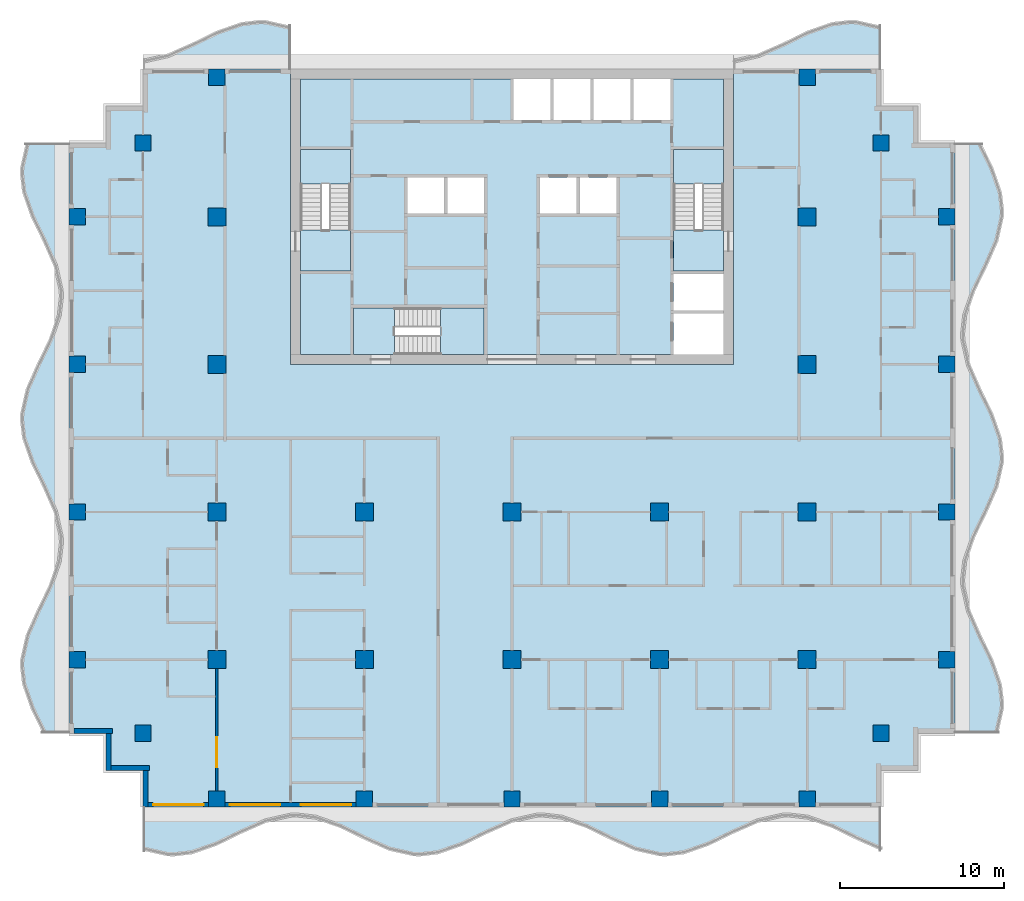
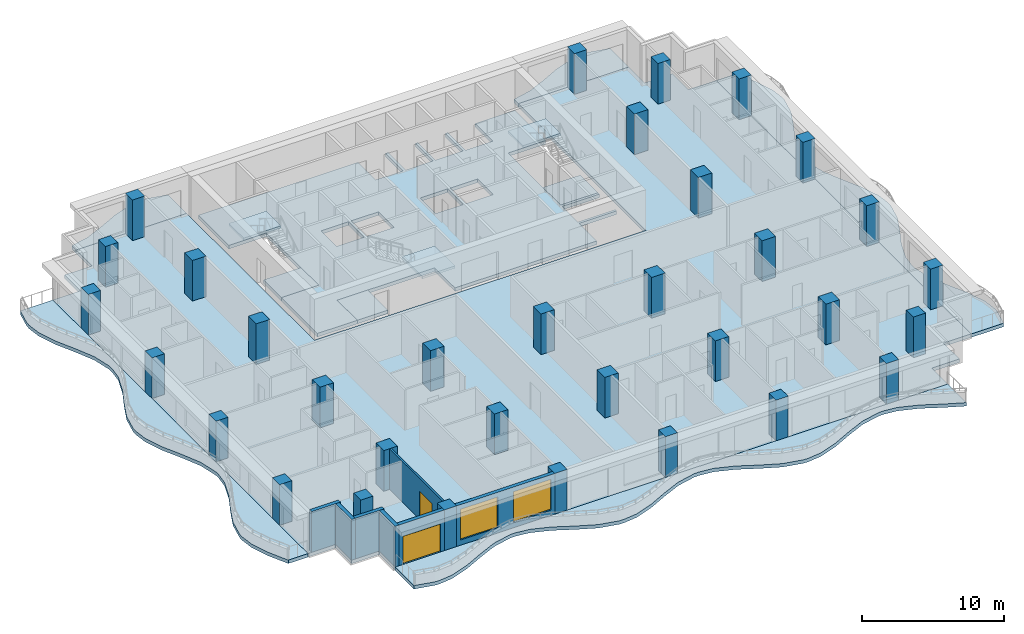
# One storey, part 1 of 12: 33 columns, 13 slabs, 7 walls, 2 doors, 2 windows, 4 openings, 3 elements without a shape of their own.
"""IFC4 building model written with IfcOpenShell, lengths in metres."""

from ifc_helpers import new_model, si_unit, direction, frame, frame_2d, origin, origin_2d, place, context, subcontext, project, spatial, polyline, rectangle, outline, extrude, material, layer, layer_set, material_profile, profile_set, type_object, element, fill, aggregate, save


model = new_model("IFC4")

# Units and contexts
model_context = context("Model", 3, precision=1e-05, world=origin(), true_north=direction((0.0, 1.0)))
body_context = subcontext(model_context, "Body", "Model", "MODEL_VIEW")
ifc_project = project(units=[si_unit("LENGTHUNIT", "METRE"), si_unit("AREAUNIT", "SQUARE_METRE"), si_unit("VOLUMEUNIT", "CUBIC_METRE"), si_unit("PLANEANGLEUNIT", "RADIAN"), si_unit("MASSUNIT", "GRAM", prefix="KILO")], contexts=[model_context])

# Site, building, storey
site_placement = place(None, origin())
site = spatial("IfcSite", under=ifc_project, at=site_placement, CompositionType="ELEMENT")
building_placement = place(site_placement, origin())
building = spatial("IfcBuilding", under=site, at=building_placement, Name="Orbiselva Terraces", CompositionType="ELEMENT")
storey_placement = place(building_placement, frame((0.0, 0.0, 214.8)))
storey = spatial("IfcBuildingStorey", under=building, at=storey_placement, Name="L54", CompositionType="ELEMENT", Elevation=214.8)

# Columns
ifc_material_1 = material(Name="Concrete C60/75", Category="concrete")
ifc_material_profile_1 = material_profile(ifc_material_1, rectangle(XDim=1.1, YDim=1.1, at=origin_2d()), Name="RC 1100x1100")
ifc_profile_set_1 = profile_set([ifc_material_profile_1], Name="Concrete C60/75")
column_type_1 = type_object("IfcColumnType", Name="COLUMN RC 1100x1100", PredefinedType="COLUMN", material=ifc_profile_set_1)
for number, where, z_axis, x_axis, name in (
    (1, (-18.0, -13.5, 0.0), (0.0, 0.0, 1.0), (1.0, 0.0, 0.0), "Column L54-01"),
    (2, (-18.0, -4.5, 0.0), (0.0, 0.0, 1.0), (1.0, 0.0, 0.0), "Column L54-03"),
    (3, (-18.0, 13.5, 0.0), (0.0, 0.0, 1.0), (1.0, 0.0, 0.0), "Column L54-04"),
    (4, (-18.0, 4.5, 0.0), (0.0, 0.0, 1.0), (1.0, 0.0, 0.0), "Column L54-06"),
    (5, (-9.0, -13.5, 0.0), (0.0, 0.0, 1.0), (1.0, 0.0, 0.0), "Column L54-13"),
    (6, (-9.0, -4.5, 0.0), (0.0, 0.0, 1.0), (1.0, 0.0, 0.0), "Column L54-15"),
    (7, (0.0, -13.5, 0.0), (0.0, 0.0, 1.0), (1.0, 0.0, 0.0), "Column L54-16"),
    (8, (0.0, -4.5, 0.0), (0.0, 0.0, 1.0), (1.0, 0.0, 0.0), "Column L54-18"),
    (9, (18.0, -13.5, 0.0), (0.0, 0.0, 1.0), (1.0, 0.0, 0.0), "Column L54-19"),
    (10, (18.0, -4.5, 0.0), (0.0, 0.0, 1.0), (1.0, 0.0, 0.0), "Column L54-21"),
    (11, (18.0, 13.5, 0.0), (0.0, 0.0, 1.0), (1.0, 0.0, 0.0), "Column L54-22"),
    (12, (18.0, 4.5, 0.0), (0.0, 0.0, 1.0), (1.0, 0.0, 0.0), "Column L54-24"),
    (13, (9.0, -13.5, 0.0), (0.0, 0.0, 1.0), (1.0, 0.0, 0.0), "Column L54-31"),
    (14, (9.0, -4.5, 0.0), (0.0, 0.0, 1.0), (1.0, 0.0, 0.0), "Column L54-33"),
):
    element("IfcColumn", number, at=place(storey_placement, frame(where, z_axis=z_axis, x_axis=x_axis)), inside=storey, type_object=column_type_1, Name=name, PredefinedType="COLUMN", context=body_context, shape_type="SweptSolid", body=[
        extrude(rectangle(XDim=1.1, YDim=1.1, at=origin_2d()), origin(), (0.0, 0.0, 1.0), 3.5),
    ])
ifc_material_2 = material(Name="Concrete C50/60", Category="concrete")
ifc_material_profile_2 = material_profile(ifc_material_2, rectangle(XDim=1.0, YDim=1.0, at=origin_2d()), Name="RC 1000x1000")
ifc_profile_set_2 = profile_set([ifc_material_profile_2], Name="Concrete C50/60")
column_type_2 = type_object("IfcColumnType", Name="PERIMETER COLUMN RC 1000x1000", PredefinedType="COLUMN", material=ifc_profile_set_2)
for number, where, z_axis, x_axis, name in (
    (15, (-18.0, -22.0, 0.0), (0.0, 0.0, 1.0), (1.0, 0.0, 0.0), "Column L54-02"),
    (16, (-18.0, 22.0, 0.0), (0.0, 0.0, 1.0), (1.0, 0.0, 0.0), "Column L54-05"),
    (17, (-26.5, -13.5, 0.0), (0.0, 0.0, 1.0), (1.0, 0.0, 0.0), "Column L54-07"),
    (18, (-22.5, -18.0, 0.0), (0.0, 0.0, 1.0), (1.0, 0.0, 0.0), "Column L54-08"),
    (19, (-26.5, -4.5, 0.0), (0.0, 0.0, 1.0), (1.0, 0.0, 0.0), "Column L54-09"),
    (20, (-26.5, 13.5, 0.0), (0.0, 0.0, 1.0), (1.0, 0.0, 0.0), "Column L54-10"),
    (21, (-22.5, 18.0, 0.0), (0.0, 0.0, 1.0), (1.0, 0.0, 0.0), "Column L54-11"),
    (22, (-26.5, 4.5, 0.0), (0.0, 0.0, 1.0), (1.0, 0.0, 0.0), "Column L54-12"),
    (23, (-9.0, -22.0, 0.0), (0.0, 0.0, 1.0), (1.0, 0.0, 0.0), "Column L54-14"),
    (24, (0.0, -22.0, 0.0), (0.0, 0.0, 1.0), (1.0, 0.0, 0.0), "Column L54-17"),
    (25, (18.0, -22.0, 0.0), (0.0, 0.0, 1.0), (1.0, 0.0, 0.0), "Column L54-20"),
    (26, (18.0, 22.0, 0.0), (0.0, 0.0, 1.0), (1.0, 0.0, 0.0), "Column L54-23"),
    (27, (26.5, -13.5, 0.0), (0.0, 0.0, 1.0), (1.0, 0.0, 0.0), "Column L54-25"),
    (28, (22.5, -18.0, 0.0), (0.0, 0.0, 1.0), (1.0, 0.0, 0.0), "Column L54-26"),
    (29, (26.5, -4.5, 0.0), (0.0, 0.0, 1.0), (1.0, 0.0, 0.0), "Column L54-27"),
    (30, (26.5, 13.5, 0.0), (0.0, 0.0, 1.0), (1.0, 0.0, 0.0), "Column L54-28"),
    (31, (22.5, 18.0, 0.0), (0.0, 0.0, 1.0), (1.0, 0.0, 0.0), "Column L54-29"),
    (32, (26.5, 4.5, 0.0), (0.0, 0.0, 1.0), (1.0, 0.0, 0.0), "Column L54-30"),
    (33, (9.0, -22.0, 0.0), (0.0, 0.0, 1.0), (1.0, 0.0, 0.0), "Column L54-32"),
):
    element("IfcColumn", number, at=place(storey_placement, frame(where, z_axis=z_axis, x_axis=x_axis)), inside=storey, type_object=column_type_2, Name=name, PredefinedType="COLUMN", context=body_context, shape_type="SweptSolid", body=[
        extrude(rectangle(XDim=1.0, YDim=1.0, at=origin_2d()), origin(), (0.0, 0.0, 1.0), 3.5),
    ])

# Slabs
ifc_material_3 = material(Name="Concrete C40/50", Category="concrete")
ifc_layer_1 = layer(ifc_material_3, 0.3)
ifc_layer_set_1 = layer_set([ifc_layer_1], Name="Concrete C40/50")
slab_type_1 = type_object("IfcSlabType", Name="CORE-SLAB-FLOOR-300", PredefinedType="FLOOR", material=ifc_layer_set_1)
slab_1_placement = place(storey_placement, frame((0.0, 0.0, -0.3)))
element("IfcSlab", 34, at=slab_1_placement, inside=storey, type_object=slab_type_1, Name="L54 S1 floor landing", PredefinedType="FLOOR", context=body_context, shape_type="SweptSolid", body=[
    extrude(outline(polyline([(-12.9, 12.7), (-9.85, 12.7), (-9.85, 10.2), (-12.9, 10.2), (-12.9, 12.7)])), origin(), (0.0, 0.0, 1.0), 0.3),
])
slab_2_placement = place(storey_placement, frame((0.0, 0.0, -0.3)))
element("IfcSlab", 35, at=slab_2_placement, inside=storey, type_object=slab_type_1, Name="L54 S2 floor landing", PredefinedType="FLOOR", context=body_context, shape_type="SweptSolid", body=[
    extrude(outline(polyline([(12.9, 12.7), (12.9, 10.2), (9.85, 10.2), (9.85, 12.7), (12.9, 12.7)])), origin(), (0.0, 0.0, 1.0), 0.3),
])
slab_3_placement = place(storey_placement, frame((0.0, 0.0, -0.3)))
element("IfcSlab", 36, at=slab_3_placement, inside=storey, type_object=slab_type_1, Name="L54 S3 floor landing", PredefinedType="FLOOR", context=body_context, shape_type="SweptSolid", body=[
    extrude(outline(polyline([(-7.15, 5.1), (-9.65, 5.1), (-9.65, 7.95), (-7.15, 7.95), (-7.15, 5.1)])), origin(), (0.0, 0.0, 1.0), 0.3),
])
slab_4_placement = place(storey_placement, frame((0.0, 0.0, -0.3)))
element("IfcSlab", 37, at=slab_4_placement, inside=storey, type_object=slab_type_1, Name="L54 core floor slab 1", PredefinedType="FLOOR", context=body_context, shape_type="SweptSolid", body=[
    extrude(outline(polyline([(-1.7, 5.1), (-1.7, 7.95), (-9.65, 7.95), (-9.65, 5.1), (-12.9, 5.1), (-12.9, 10.2), (-9.85, 10.2), (-9.85, 17.6), (-12.9, 17.6), (-12.9, 21.9), (0.1, 21.9), (0.1, 19.4), (2.3375, 19.4), (2.3375, 21.9), (2.5375, 21.9), (2.5375, 19.4), (4.775, 19.4), (4.775, 21.9), (4.975, 21.9), (4.975, 19.4), (7.2125, 19.4), (7.2125, 21.9), (7.4125, 21.9), (7.4125, 19.4), (9.65, 19.4), (9.65, 21.9), (12.9, 21.9), (12.9, 17.6), (9.85, 17.6), (9.85, 10.2), (12.9, 10.2), (12.9, 10.0), (9.85, 10.0), (9.85, 7.8), (12.9, 7.8), (12.9, 7.6), (9.85, 7.6), (9.85, 5.1), (-1.7, 5.1)]), holes=[polyline([(-4.1375, 13.7), (-4.1375, 15.9), (-6.375, 15.9), (-6.375, 13.7), (-4.1375, 13.7)]), polyline([(-1.7, 13.7), (-1.7, 15.9), (-3.9375, 15.9), (-3.9375, 13.7), (-1.7, 13.7)]), polyline([(3.9375, 15.9), (1.7, 15.9), (1.7, 13.7), (3.9375, 13.7), (3.9375, 15.9)]), polyline([(6.375, 13.7), (6.375, 15.9), (4.1375, 15.9), (4.1375, 13.7), (6.375, 13.7)])]), origin(), (0.0, 0.0, 1.0), 0.3),
])

# Stair, slab
stair_type_1 = type_object("IfcStairType", Name="CORE-STAIR-1300", PredefinedType="HALF_TURN_STAIR", material=ifc_material_3)
stair_1_placement = place(storey_placement, origin())
stair_1 = element("IfcStair", 38, at=stair_1_placement, inside=storey, type_object=stair_type_1, Name="L54 Exit Stair S1", PredefinedType="HALF_TURN_STAIR")
ifc_layer_2 = layer(ifc_material_3, 0.2)
ifc_layer_set_2 = layer_set([ifc_layer_2], Name="Concrete C40/50")
slab_type_2 = type_object("IfcSlabType", Name="CORE-STAIR-LANDING-200", PredefinedType="LANDING", material=ifc_layer_set_2)
slab_5_placement = place(storey_placement, frame((0.0, 0.0, 1.7)))
slab_5 = element("IfcSlab", 39, at=slab_5_placement, type_object=slab_type_2, Name="S1 landing 1", PredefinedType="LANDING", context=body_context, shape_type="SweptSolid", body=[
    extrude(outline(polyline([(-9.85, 15.5), (-9.85, 17.6), (-12.9, 17.6), (-12.9, 15.5), (-9.85, 15.5)])), origin(), (0.0, 0.0, 1.0), 0.2),
])
aggregate(stair_1, [slab_5])

stair_2_placement = place(storey_placement, origin())
stair_2 = element("IfcStair", 40, at=stair_2_placement, inside=storey, type_object=stair_type_1, Name="L54 Exit Stair S2", PredefinedType="HALF_TURN_STAIR")
slab_6_placement = place(storey_placement, frame((0.0, 0.0, 1.7)))
slab_6 = element("IfcSlab", 41, at=slab_6_placement, type_object=slab_type_2, Name="S2 landing 1", PredefinedType="LANDING", context=body_context, shape_type="SweptSolid", body=[
    extrude(outline(polyline([(12.9, 15.5), (12.9, 17.6), (9.85, 17.6), (9.85, 15.5), (12.9, 15.5)])), origin(), (0.0, 0.0, 1.0), 0.2),
])
aggregate(stair_2, [slab_6])

stair_type_2 = type_object("IfcStairType", Name="CORE-STAIR-1200", PredefinedType="HALF_TURN_STAIR", material=ifc_material_3)
stair_3_placement = place(storey_placement, origin())
stair_3 = element("IfcStair", 42, at=stair_3_placement, inside=storey, type_object=stair_type_2, Name="L54 Exit Stair S3", PredefinedType="HALF_TURN_STAIR")
slab_7_placement = place(storey_placement, frame((0.0, 0.0, 1.7)))
slab_7 = element("IfcSlab", 43, at=slab_7_placement, type_object=slab_type_2, Name="S3 landing 1", PredefinedType="LANDING", context=body_context, shape_type="SweptSolid", body=[
    extrude(outline(polyline([(-4.35, 5.1), (-1.7, 5.1), (-1.7, 7.95), (-4.35, 7.95), (-4.35, 5.1)])), origin(), (0.0, 0.0, 1.0), 0.2),
])
aggregate(stair_3, [slab_7])

# Slabs
ifc_layer_3 = layer(ifc_material_2, 0.3)
ifc_layer_set_3 = layer_set([ifc_layer_3], Name="Concrete C50/60")
slab_type_3 = type_object("IfcSlabType", Name="ENV-BALCONY-SLAB-300", PredefinedType="FLOOR", material=ifc_layer_set_3)
slab_8_placement = place(storey_placement, frame((0.0, 0.0, -0.3)))
element("IfcSlab", 44, at=slab_8_placement, inside=storey, type_object=slab_type_3, Name="Balcony slab L54 S", PredefinedType="FLOOR", context=body_context, shape_type="SweptSolid", body=[
    extrude(outline(polyline([(-22.5, -25.148528), (-21.0, -25.485226), (-20.625, -25.5), (-19.5, -25.369208), (-18.0, -24.844789), (-16.5, -24.112279), (-15.0, -23.451472), (-13.5, -23.114774), (-13.125, -23.1), (-12.0, -23.230792), (-10.5, -23.755211), (-9.0, -24.487721), (-7.5, -25.148528), (-6.0, -25.485226), (-5.625, -25.5), (-4.5, -25.369208), (-3.0, -24.844789), (-1.5, -24.112279), (0.0, -23.451472), (1.5, -23.114774), (1.875, -23.1), (3.0, -23.230792), (4.5, -23.755211), (6.0, -24.487721), (7.5, -25.148528), (9.0, -25.485226), (9.375, -25.5), (10.5, -25.369208), (12.0, -24.844789), (13.5, -24.112279), (15.0, -23.451472), (16.5, -23.114774), (16.875, -23.1), (18.0, -23.230792), (19.5, -23.755211), (21.0, -24.487721), (22.5, -25.148528), (22.5, -22.5), (-22.5, -22.5), (-22.5, -25.148528)])), origin(), (0.0, 0.0, 1.0), 0.3),
])
slab_9_placement = place(storey_placement, frame((0.0, 0.0, -0.3)))
element("IfcSlab", 45, at=slab_9_placement, inside=storey, type_object=slab_type_3, Name="Balcony slab L54 E", PredefinedType="FLOOR", context=body_context, shape_type="SweptSolid", body=[
    extrude(outline(polyline([(29.648528, -18.0), (29.985226, -16.5), (30.0, -16.125), (29.869208, -15.0), (29.344789, -13.5), (28.612279, -12.0), (27.951472, -10.5), (27.614774, -9.0), (27.6, -8.625), (27.730792, -7.5), (28.255211, -6.0), (28.987721, -4.5), (29.648528, -3.0), (29.985226, -1.5), (30.0, -1.125), (29.869208, 0.0), (29.344789, 1.5), (28.612279, 3.0), (27.951472, 4.5), (27.614774, 6.0), (27.6, 6.375), (27.730792, 7.5), (28.255211, 9.0), (28.987721, 10.5), (29.648528, 12.0), (29.985226, 13.5), (30.0, 13.875), (29.869208, 15.0), (29.344789, 16.5), (28.612279, 18.0), (27.0, 18.0), (27.0, -18.0), (29.648528, -18.0)])), origin(), (0.0, 0.0, 1.0), 0.3),
])
slab_10_placement = place(storey_placement, frame((0.0, 0.0, -0.3)))
element("IfcSlab", 46, at=slab_10_placement, inside=storey, type_object=slab_type_3, Name="Balcony slab L54 NE", PredefinedType="FLOOR", context=body_context, shape_type="SweptSolid", body=[
    extrude(outline(polyline([(22.5, 25.148528), (21.0, 25.485226), (20.625, 25.5), (19.5, 25.369208), (18.0, 24.844789), (16.5, 24.112279), (15.0, 23.451472), (13.5, 23.114774), (13.5, 22.5), (22.5, 22.5), (22.5, 25.148528)])), origin(), (0.0, 0.0, 1.0), 0.3),
])
slab_11_placement = place(storey_placement, frame((0.0, 0.0, -0.3)))
element("IfcSlab", 47, at=slab_11_placement, inside=storey, type_object=slab_type_3, Name="Balcony slab L54 NW", PredefinedType="FLOOR", context=body_context, shape_type="SweptSolid", body=[
    extrude(outline(polyline([(-13.5, 25.148528), (-15.0, 25.485226), (-15.375, 25.5), (-16.5, 25.369208), (-18.0, 24.844789), (-19.5, 24.112279), (-21.0, 23.451472), (-22.5, 23.114774), (-22.5, 22.5), (-13.5, 22.5), (-13.5, 25.148528)])), origin(), (0.0, 0.0, 1.0), 0.3),
])
slab_12_placement = place(storey_placement, frame((0.0, 0.0, -0.3)))
element("IfcSlab", 48, at=slab_12_placement, inside=storey, type_object=slab_type_3, Name="Balcony slab L54 W", PredefinedType="FLOOR", context=body_context, shape_type="SweptSolid", body=[
    extrude(outline(polyline([(-29.648528, 18.0), (-29.985226, 16.5), (-30.0, 16.125), (-29.869208, 15.0), (-29.344789, 13.5), (-28.612279, 12.0), (-27.951472, 10.5), (-27.614774, 9.0), (-27.6, 8.625), (-27.730792, 7.5), (-28.255211, 6.0), (-28.987721, 4.5), (-29.648528, 3.0), (-29.985226, 1.5), (-30.0, 1.125), (-29.869208, 0.0), (-29.344789, -1.5), (-28.612279, -3.0), (-27.951472, -4.5), (-27.614774, -6.0), (-27.6, -6.375), (-27.730792, -7.5), (-28.255211, -9.0), (-28.987721, -10.5), (-29.648528, -12.0), (-29.985226, -13.5), (-30.0, -13.875), (-29.869208, -15.0), (-29.344789, -16.5), (-28.612279, -18.0), (-27.0, -18.0), (-27.0, 18.0), (-29.648528, 18.0)])), origin(), (0.0, 0.0, 1.0), 0.3),
])
ifc_layer_4 = layer(ifc_material_2, 0.3)
ifc_layer_set_4 = layer_set([ifc_layer_4], Name="Concrete C50/60")
slab_type_4 = type_object("IfcSlabType", Name="FLOOR SLAB 300", PredefinedType="FLOOR", material=ifc_layer_set_4)
slab_13_placement = place(storey_placement, frame((0.0, 0.0, -0.3)))
element("IfcSlab", 49, at=slab_13_placement, inside=storey, type_object=slab_type_4, Name="Floor slab L54", PredefinedType="FLOOR", context=body_context, shape_type="SweptSolid", body=[
    extrude(outline(polyline([(22.5, 22.5), (22.5, 20.25), (24.75, 20.25), (24.75, 18.0), (27.0, 18.0), (27.0, -18.0), (24.75, -18.0), (24.75, -20.25), (22.5, -20.25), (22.5, -22.5), (-22.5, -22.5), (-22.5, -20.25), (-24.75, -20.25), (-24.75, -18.0), (-27.0, -18.0), (-27.0, 18.0), (-24.75, 18.0), (-24.75, 20.25), (-22.5, 20.25), (-22.5, 22.5), (-13.5, 22.5), (-13.5, 4.5), (13.5, 4.5), (13.5, 22.5), (22.5, 22.5)])), origin(), (0.0, 0.0, 1.0), 0.3),
])

# Wall, opening, door
ifc_material_4 = material(Name="Terracotta cladding on masonry backing", Category="masonry")
ifc_layer_5 = layer(ifc_material_4, 0.3)
ifc_layer_set_5 = layer_set([ifc_layer_5], Name="Terracotta cladding on masonry backing")
wall_type_1 = type_object("IfcWallType", Name="ENV-WALL-TERRACOTTA-300", PredefinedType="SOLIDWALL", material=ifc_layer_set_5)
wall_1_placement = place(storey_placement, frame((-18.5, -22.35, 0.0), z_axis=(0.0, 0.0, 1.0), x_axis=(-1.0, 0.0, 0.0)))
wall_1 = element("IfcWall", 50, at=wall_1_placement, inside=storey, type_object=wall_type_1, Name="Facade wall L54 S", PredefinedType="SOLIDWALL", context=body_context, shape_type="SweptSolid", body=[
    extrude(rectangle(XDim=3.7, YDim=0.3, at=frame_2d((1.85, 0.0))), origin(), (0.0, 0.0, 1.0), 3.5),
])
opening_1_placement = place(wall_1_placement, frame((0.3, 0.0, 0.0)))
opening_1 = element("IfcOpeningElement", 51, at=opening_1_placement, cuts=wall_1, Name="Opening Z4-C-E13", PredefinedType="OPENING", context=body_context, shape_type="SweptSolid", body=[
    extrude(rectangle(XDim=3.075, YDim=2.4, at=frame_2d((1.5375, 1.2))), frame((0.0, 0.16, 0.0), z_axis=(0.0, -1.0, 0.0), x_axis=(1.0, 0.0, 0.0)), (0.0, 0.0, 1.0), 0.32),
])
ifc_material_5 = material(Name="Clear low-e glazing in aluminium frame", Category="aluminium")
door_type_1 = type_object("IfcDoorType", Name="BALCONY DOOR 3075 X 2400", OperationType="DOUBLE_DOOR_SLIDING", PredefinedType="DOOR", material=ifc_material_5)
door_1_placement = place(opening_1_placement, origin())
door_1 = element("IfcDoor", 52, at=door_1_placement, inside=storey, type_object=door_type_1, Name="Z4-C-E13", OperationType="SINGLE_SWING_LEFT", OverallHeight=2.4, OverallWidth=3.075, PredefinedType="DOOR", context=body_context, shape_type="SweptSolid", body=[
    extrude(rectangle(XDim=3.075, YDim=2.4, at=frame_2d((1.5375, 1.2))), frame((0.0, 0.025, 0.0), z_axis=(0.0, -1.0, 0.0), x_axis=(1.0, 0.0, 0.0)), (0.0, 0.0, 1.0), 0.05),
])
fill(opening_1, door_1)

# Wall, openings, windows
wall_2_placement = place(storey_placement, frame((-9.5, -22.35, 0.0), z_axis=(0.0, 0.0, 1.0), x_axis=(-1.0, 0.0, 0.0)))
wall_2 = element("IfcWall", 53, at=wall_2_placement, inside=storey, type_object=wall_type_1, Name="Facade wall L54 S", PredefinedType="SOLIDWALL", context=body_context, shape_type="SweptSolid", body=[
    extrude(rectangle(XDim=8.0, YDim=0.3, at=frame_2d((4.0, 0.0))), origin(), (0.0, 0.0, 1.0), 3.5),
])
opening_2_placement = place(wall_2_placement, frame((4.625, 0.0, 0.45)))
opening_2 = element("IfcOpeningElement", 54, at=opening_2_placement, cuts=wall_2, Name="Opening WN15", PredefinedType="OPENING", context=body_context, shape_type="SweptSolid", body=[
    extrude(rectangle(XDim=3.075, YDim=2.65, at=frame_2d((1.5375, 1.325))), frame((0.0, 0.16, 0.0), z_axis=(0.0, -1.0, 0.0), x_axis=(1.0, 0.0, 0.0)), (0.0, 0.0, 1.0), 0.32),
])
opening_3_placement = place(wall_2_placement, frame((0.3, 0.0, 0.45)))
opening_3 = element("IfcOpeningElement", 55, at=opening_3_placement, cuts=wall_2, Name="Opening WN15", PredefinedType="OPENING", context=body_context, shape_type="SweptSolid", body=[
    extrude(rectangle(XDim=3.075, YDim=2.65, at=frame_2d((1.5375, 1.325))), frame((0.0, 0.16, 0.0), z_axis=(0.0, -1.0, 0.0), x_axis=(1.0, 0.0, 0.0)), (0.0, 0.0, 1.0), 0.32),
])
window_type = type_object("IfcWindowType", Name="WINDOW 3075 X 2650 S450", PartitioningType="TRIPLE_PANEL_VERTICAL", PredefinedType="WINDOW", material=ifc_material_5)
window_1_placement = place(opening_2_placement, origin())
window_1 = element("IfcWindow", 56, at=window_1_placement, inside=storey, type_object=window_type, Name="Window L54 S", OverallHeight=2.65, OverallWidth=3.075, PartitioningType="SINGLE_PANEL", PredefinedType="WINDOW", context=body_context, shape_type="SweptSolid", body=[
    extrude(rectangle(XDim=3.075, YDim=2.65, at=frame_2d((1.5375, 1.325))), frame((0.0, 0.03, 0.0), z_axis=(0.0, -1.0, 0.0), x_axis=(1.0, 0.0, 0.0)), (0.0, 0.0, 1.0), 0.06),
])
fill(opening_2, window_1)
window_2_placement = place(opening_3_placement, origin())
window_2 = element("IfcWindow", 57, at=window_2_placement, inside=storey, type_object=window_type, Name="Window L54 S", OverallHeight=2.65, OverallWidth=3.075, PartitioningType="SINGLE_PANEL", PredefinedType="WINDOW", context=body_context, shape_type="SweptSolid", body=[
    extrude(rectangle(XDim=3.075, YDim=2.65, at=frame_2d((1.5375, 1.325))), frame((0.0, 0.03, 0.0), z_axis=(0.0, -1.0, 0.0), x_axis=(1.0, 0.0, 0.0)), (0.0, 0.0, 1.0), 0.06),
])
fill(opening_3, window_2)

# Walls
wall_3_placement = place(storey_placement, frame((-24.35, -17.85, 0.0), z_axis=(0.0, 0.0, 1.0), x_axis=(-1.0, 0.0, 0.0)))
element("IfcWall", 58, at=wall_3_placement, inside=storey, type_object=wall_type_1, Name="Facade wall L54 STEP", PredefinedType="SOLIDWALL", context=body_context, shape_type="SweptSolid", body=[
    extrude(rectangle(XDim=2.35, YDim=0.3, at=frame_2d((1.175, 0.0))), origin(), (0.0, 0.0, 1.0), 3.5),
])
wall_4_placement = place(storey_placement, frame((-24.6, -20.25, 0.0), z_axis=(0.0, 0.0, 1.0), x_axis=(0.0, 1.0, 0.0)))
element("IfcWall", 59, at=wall_4_placement, inside=storey, type_object=wall_type_1, Name="Facade wall L54 STEP", PredefinedType="SOLIDWALL", context=body_context, shape_type="SweptSolid", body=[
    extrude(rectangle(XDim=2.25, YDim=0.3, at=frame_2d((1.125, 0.0))), origin(), (0.0, 0.0, 1.0), 3.5),
])
wall_5_placement = place(storey_placement, frame((-22.1, -20.1, 0.0), z_axis=(0.0, 0.0, 1.0), x_axis=(-1.0, 0.0, 0.0)))
element("IfcWall", 60, at=wall_5_placement, inside=storey, type_object=wall_type_1, Name="Facade wall L54 STEP", PredefinedType="SOLIDWALL", context=body_context, shape_type="SweptSolid", body=[
    extrude(rectangle(XDim=2.35, YDim=0.3, at=frame_2d((1.175, 0.0))), origin(), (0.0, 0.0, 1.0), 3.5),
])
wall_6_placement = place(storey_placement, frame((-22.35, -22.5, 0.0), z_axis=(0.0, 0.0, 1.0), x_axis=(0.0, 1.0, 0.0)))
element("IfcWall", 61, at=wall_6_placement, inside=storey, type_object=wall_type_1, Name="Facade wall L54 STEP", PredefinedType="SOLIDWALL", context=body_context, shape_type="SweptSolid", body=[
    extrude(rectangle(XDim=2.25, YDim=0.3, at=frame_2d((1.125, 0.0))), origin(), (0.0, 0.0, 1.0), 3.5),
])

# Wall, opening, door
ifc_material_6 = material(Name="Plasterboard on steel stud partition", Category="steel")
ifc_layer_6 = layer(ifc_material_6, 0.15)
ifc_layer_set_6 = layer_set([ifc_layer_6], Name="Plasterboard on steel stud partition")
wall_type_2 = type_object("IfcWallType", Name="UNIT-PARTITION-150", PredefinedType="PARTITIONING", material=ifc_layer_set_6)
wall_7_placement = place(storey_placement, frame((-18.0, -21.5, 0.0), z_axis=(0.0, 0.0, 1.0), x_axis=(0.0, 1.0, 0.0)))
wall_7 = element("IfcWall", 62, at=wall_7_placement, inside=storey, type_object=wall_type_2, Name="PARTITION L54-056", PredefinedType="PARTITIONING", context=body_context, shape_type="SweptSolid", body=[
    extrude(rectangle(XDim=7.45, YDim=0.15, at=frame_2d((3.725, 0.0))), origin(), (0.0, 0.0, 1.0), 3.5),
])
opening_4_placement = place(wall_7_placement, frame((1.45, 0.0, 0.0)))
opening_4 = element("IfcOpeningElement", 63, at=opening_4_placement, cuts=wall_7, Name="Opening Z4-C-32", PredefinedType="OPENING", context=body_context, shape_type="SweptSolid", body=[
    extrude(rectangle(XDim=1.8, YDim=2.4, at=frame_2d((0.9, 1.2))), frame((0.0, 0.085, 0.0), z_axis=(0.0, -1.0, 0.0), x_axis=(1.0, 0.0, 0.0)), (0.0, 0.0, 1.0), 0.17),
])
ifc_material_7 = material(Name="Painted timber door leaf", Category="wood")
door_type_2 = type_object("IfcDoorType", Name="DOUBLE DOOR 1800", OperationType="NOTDEFINED", PredefinedType="DOOR", material=ifc_material_7)
door_2_placement = place(opening_4_placement, origin())
door_2 = element("IfcDoor", 64, at=door_2_placement, inside=storey, type_object=door_type_2, Name="Z4-C-32", OperationType="DOUBLE_DOOR_SINGLE_SWING", OverallHeight=2.4, OverallWidth=1.8, PredefinedType="DOOR", context=body_context, shape_type="SweptSolid", body=[
    extrude(rectangle(XDim=1.8, YDim=2.4, at=frame_2d((0.9, 1.2))), frame((0.0, 0.025, 0.0), z_axis=(0.0, -1.0, 0.0), x_axis=(1.0, 0.0, 0.0)), (0.0, 0.0, 1.0), 0.05),
])
fill(opening_4, door_2)

save(model, "model.ifc")
